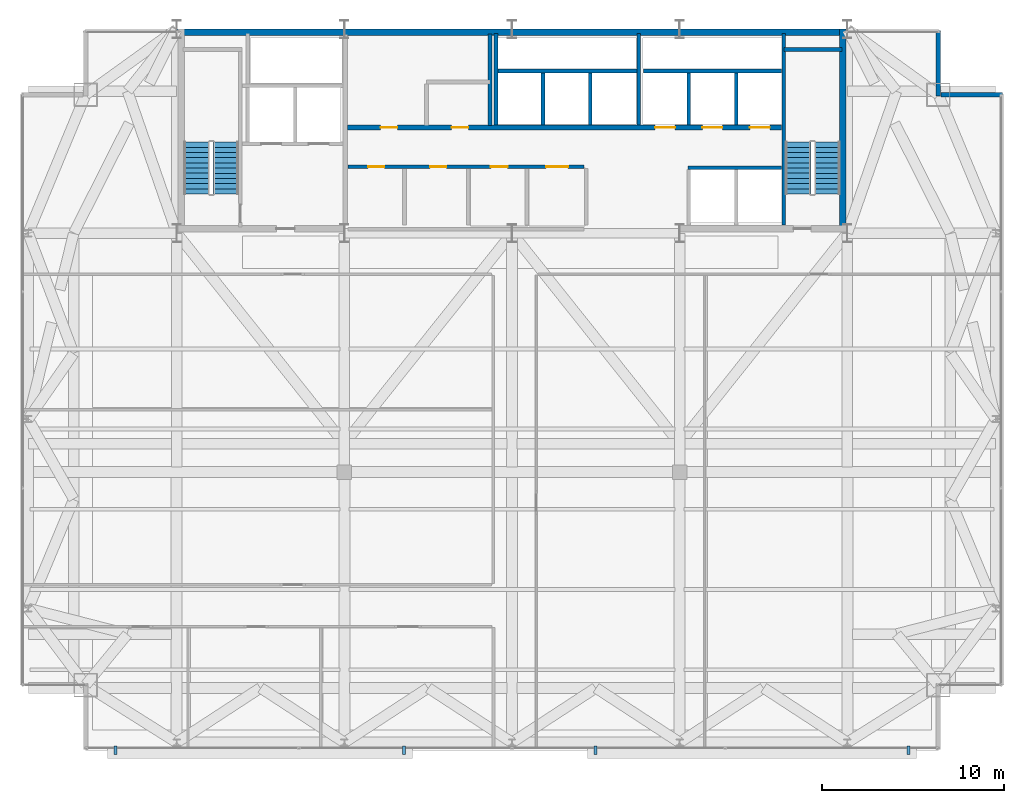
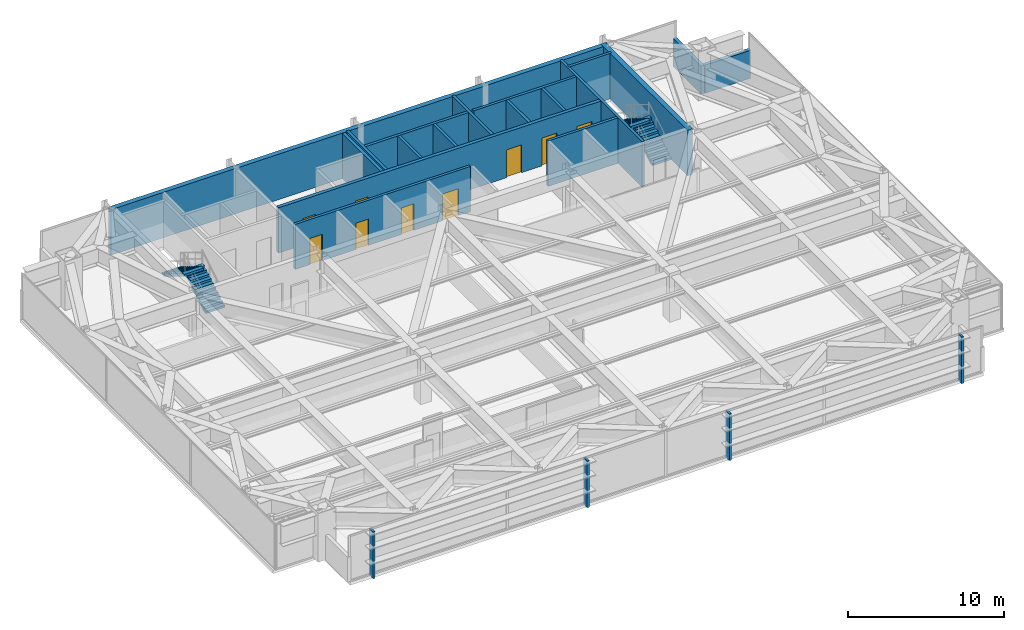
# One storey, part 24 of 26: 18 walls, 9 doors, 4 discrete accessories, 4 stair flights, 9 openings, 2 elements without a shape of their own.
"""IFC4 building model written with IfcOpenShell, lengths in metres."""

from ifc_helpers import new_model, si_unit, direction, frame, frame_2d, origin, origin_2d, place, context, subcontext, project, spatial, polyline, rectangle, outline, extrude, source, transform, mapped, material, layer, layer_set, type_object, type_shapes, element, fill, aggregate, save


model = new_model("IFC4")

# Units and contexts
model_context = context("Model", 3, precision=1e-05, world=origin(), true_north=direction((0.0, 1.0)))
body_context = subcontext(model_context, "Body", "Model", "MODEL_VIEW")
ifc_project = project(units=[si_unit("LENGTHUNIT", "METRE"), si_unit("AREAUNIT", "SQUARE_METRE"), si_unit("VOLUMEUNIT", "CUBIC_METRE"), si_unit("PLANEANGLEUNIT", "RADIAN"), si_unit("MASSUNIT", "GRAM", prefix="KILO")], contexts=[model_context])

# Site, building, storey
site_placement = place(None, origin())
site = spatial("IfcSite", under=ifc_project, at=site_placement, CompositionType="ELEMENT")
building_placement = place(site_placement, origin())
building = spatial("IfcBuilding", under=site, at=building_placement, Name="Varnel Quay Broadcast Tower", CompositionType="ELEMENT")
storey_placement = place(building_placement, frame((0.0, 0.0, 196.0)))
storey = spatial("IfcBuildingStorey", under=building, at=storey_placement, Name="L48", CompositionType="ELEMENT", Elevation=196.0)

# Walls
ifc_material_1 = material(Name="Concrete CSA A23.3 C50/60", Category="concrete")
ifc_layer_1 = layer(ifc_material_1, 0.199951171875, Name="Concrete CSA A23.3 C50/60")
ifc_layer_set_1 = layer_set([ifc_layer_1], Name="Concrete CSA A23.3 C50/60")
wall_type_1 = type_object("IfcWallType", Name="Wall_CoreShaftShear200", PredefinedType="SHEAR", material=ifc_layer_set_1)
wall_1_placement = place(storey_placement, frame((48.919921875, 36.050048828125, 0.0), z_axis=(0.0, 0.0, 1.0), x_axis=(0.0, 1.0, 0.0)))
element("IfcWall", 1, at=wall_1_placement, inside=storey, type_object=wall_type_1, Name="L48 Stair 2 West Structural Wall", PredefinedType="SHEAR", context=body_context, shape_type="SweptSolid", body=[
    extrude(rectangle(XDim=10.5, YDim=0.199951171875, at=frame_2d((5.25, 0.0))), origin(), (0.0, 0.0, 1.0), 3.550048828125),
])
wall_2_placement = place(storey_placement, frame((48.919921875, 45.679931640625, 0.0), z_axis=(0.0, 0.0, 1.0), x_axis=(1.0, 0.0, 0.0)))
element("IfcWall", 2, at=wall_2_placement, inside=storey, type_object=wall_type_1, Name="L48 Stair 2 North Structural Wall", PredefinedType="SHEAR", context=body_context, shape_type="SweptSolid", body=[
    extrude(rectangle(XDim=3.18017578125, YDim=0.199951171875, at=frame_2d((1.590087890625, 0.0))), origin(), (0.0, 0.0, 1.0), 3.550048828125),
])
wall_3_placement = place(storey_placement, frame((33.219970703125, 44.5, 0.0), z_axis=(0.0, 0.0, 1.0), x_axis=(1.0, 0.0, 0.0)))
element("IfcWall", 3, at=wall_3_placement, inside=storey, type_object=wall_type_1, Name="L48 Mid-Rise Lift Shaft Rear Wall", PredefinedType="SHEAR", context=body_context, shape_type="SweptSolid", body=[
    extrude(rectangle(XDim=7.630126953125, YDim=0.199951171875, at=frame_2d((3.81494140625, 0.0))), origin(), (0.0, 0.0, 1.0), 3.550048828125),
])
wall_4_placement = place(storey_placement, frame((33.1201171875, 41.530029296875, 0.0), z_axis=(0.0, 0.0, 1.0), x_axis=(0.0, 1.0, 0.0)))
element("IfcWall", 4, at=wall_4_placement, inside=storey, type_object=wall_type_1, Name="L48 Mid-Rise Lift Shaft Divider 1", PredefinedType="SHEAR", context=body_context, shape_type="SweptSolid", body=[
    extrude(rectangle(XDim=5.02001953125, YDim=0.199951171875, at=frame_2d((2.510009765625, 0.0))), origin(), (0.0, 0.0, 1.0), 3.550048828125),
])
for number, where, z_axis, x_axis, name in (
    (5, (35.699951171875, 41.530029296875, 0.0), (0.0, 0.0, 1.0), (0.0, 1.0, 0.0), "L48 Mid-Rise Lift Shaft Divider 2"),
    (6, (38.300048828125, 41.530029296875, 0.0), (0.0, 0.0, 1.0), (0.0, 1.0, 0.0), "L48 Mid-Rise Lift Shaft Divider 3"),
):
    element("IfcWall", number, at=place(storey_placement, frame(where, z_axis=z_axis, x_axis=x_axis)), inside=storey, type_object=wall_type_1, Name=name, PredefinedType="SHEAR", context=body_context, shape_type="SweptSolid", body=[
        extrude(rectangle(XDim=2.869873046875, YDim=0.199951171875, at=frame_2d((1.43505859375, 0.0))), origin(), (0.0, 0.0, 1.0), 3.550048828125),
    ])
wall_5_placement = place(storey_placement, frame((40.949951171875, 41.530029296875, 0.0), z_axis=(0.0, 0.0, 1.0), x_axis=(0.0, 1.0, 0.0)))
element("IfcWall", 7, at=wall_5_placement, inside=storey, type_object=wall_type_1, Name="L48 Mid-Rise Lift Shaft Divider 4", PredefinedType="SHEAR", context=body_context, shape_type="SweptSolid", body=[
    extrude(rectangle(XDim=5.02001953125, YDim=0.199951171875, at=frame_2d((2.510009765625, 0.0))), origin(), (0.0, 0.0, 1.0), 3.550048828125),
])
wall_6_placement = place(storey_placement, frame((41.219970703125, 44.5, 0.0), z_axis=(0.0, 0.0, 1.0), x_axis=(1.0, 0.0, 0.0)))
element("IfcWall", 8, at=wall_6_placement, inside=storey, type_object=wall_type_1, Name="L48 High-Rise Lift Shaft Rear Wall", PredefinedType="SHEAR", context=body_context, shape_type="SweptSolid", body=[
    extrude(rectangle(XDim=7.580078125, YDim=0.199951171875, at=frame_2d((3.7900390625, 0.0))), origin(), (0.0, 0.0, 1.0), 3.550048828125),
])
for number, where, z_axis, x_axis, name in (
    (9, (43.699951171875, 41.530029296875, 0.0), (0.0, 0.0, 1.0), (0.0, 1.0, 0.0), "L48 High-Rise Lift Shaft Divider 2"),
    (10, (46.300048828125, 41.530029296875, 0.0), (0.0, 0.0, 1.0), (0.0, 1.0, 0.0), "L48 High-Rise Lift Shaft Divider 3"),
):
    element("IfcWall", number, at=place(storey_placement, frame(where, z_axis=z_axis, x_axis=x_axis)), inside=storey, type_object=wall_type_1, Name=name, PredefinedType="SHEAR", context=body_context, shape_type="SweptSolid", body=[
        extrude(rectangle(XDim=2.869873046875, YDim=0.199951171875, at=frame_2d((1.43505859375, 0.0))), origin(), (0.0, 0.0, 1.0), 3.550048828125),
    ])
wall_7_placement = place(storey_placement, frame((43.64990234375, 39.199951171875, 0.0), z_axis=(0.0, 0.0, 1.0), x_axis=(1.0, 0.0, 0.0)))
element("IfcWall", 11, at=wall_7_placement, inside=storey, type_object=wall_type_1, Name="L48 Express Lift Shaft North Front Wall", PredefinedType="SHEAR", context=body_context, shape_type="SweptSolid", body=[
    extrude(rectangle(XDim=5.150146484375, YDim=0.199951171875, at=frame_2d((2.5751953125, 0.0))), origin(), (0.0, 0.0, 1.0), 3.550048828125),
])

# Wall, openings, doors
ifc_layer_2 = layer(ifc_material_1, 0.25, Name="Concrete CSA A23.3 C50/60")
ifc_layer_set_2 = layer_set([ifc_layer_2], Name="Concrete CSA A23.3 C50/60")
wall_type_2 = type_object("IfcWallType", Name="Wall_CoreShaftShear250", PredefinedType="SHEAR", material=ifc_layer_set_2)
wall_8_placement = place(storey_placement, frame((24.97998046875, 41.39990234375, 0.0), z_axis=(0.0, 0.0, 1.0), x_axis=(1.0, 0.0, 0.0)))
wall_8 = element("IfcWall", 12, at=wall_8_placement, inside=storey, type_object=wall_type_2, Name="L48 North Lift Bank & Reclaimed Suite Wall", PredefinedType="SHEAR", context=body_context, shape_type="SweptSolid", body=[
    extrude(rectangle(XDim=23.820068359375, YDim=0.25, at=frame_2d((11.91015625, 0.0))), origin(), (0.0, 0.0, 1.0), 3.550048828125),
])
opening_1_placement = place(wall_8_placement, frame((16.8701171875, 0.0, 0.0)))
opening_1 = element("IfcOpeningElement", 13, at=opening_1_placement, cuts=wall_8, Name="Opening LD-L48-PH-01", PredefinedType="OPENING", context=body_context, shape_type="SweptSolid", body=[
    extrude(rectangle(XDim=1.10009765625, YDim=2.179931640625, at=frame_2d((0.550048828125, 1.08984375))), frame((0.0, 0.135009765625, 0.0), z_axis=(0.0, -1.0, 0.0), x_axis=(1.0, 0.0, 0.0)), (0.0, 0.0, 1.0), 0.27001953125),
])
opening_2_placement = place(wall_8_placement, frame((19.469970703125, 0.0, 0.0)))
opening_2 = element("IfcOpeningElement", 14, at=opening_2_placement, cuts=wall_8, Name="Opening LD-L48-PH-02", PredefinedType="OPENING", context=body_context, shape_type="SweptSolid", body=[
    extrude(rectangle(XDim=1.10009765625, YDim=2.179931640625, at=frame_2d((0.550048828125, 1.08984375))), frame((0.0, 0.135009765625, 0.0), z_axis=(0.0, -1.0, 0.0), x_axis=(1.0, 0.0, 0.0)), (0.0, 0.0, 1.0), 0.27001953125),
])
opening_3_placement = place(wall_8_placement, frame((22.070068359375, 0.0, 0.0)))
opening_3 = element("IfcOpeningElement", 15, at=opening_3_placement, cuts=wall_8, Name="Opening LD-L48-PH-03", PredefinedType="OPENING", context=body_context, shape_type="SweptSolid", body=[
    extrude(rectangle(XDim=1.10009765625, YDim=2.179931640625, at=frame_2d((0.550048828125, 1.08984375))), frame((0.0, 0.135009765625, 0.0), z_axis=(0.0, -1.0, 0.0), x_axis=(1.0, 0.0, 0.0)), (0.0, 0.0, 1.0), 0.27001953125),
])
opening_4_placement = place(wall_8_placement, frame((1.81005859375, 0.0, 0.0)))
opening_4 = element("IfcOpeningElement", 16, at=opening_4_placement, cuts=wall_8, Name="Opening D-L48-RECA1", PredefinedType="OPENING", context=body_context, shape_type="SweptSolid", body=[
    extrude(rectangle(XDim=0.919921875, YDim=2.080078125, at=frame_2d((0.4599609375, 1.0400390625))), frame((0.0, 0.135009765625, 0.0), z_axis=(0.0, -1.0, 0.0), x_axis=(1.0, 0.0, 0.0)), (0.0, 0.0, 1.0), 0.27001953125),
])
opening_5_placement = place(wall_8_placement, frame((5.7099609375, 0.0, 0.0)))
opening_5 = element("IfcOpeningElement", 17, at=opening_5_placement, cuts=wall_8, Name="Opening D-L48-RECA2", PredefinedType="OPENING", context=body_context, shape_type="SweptSolid", body=[
    extrude(rectangle(XDim=0.919921875, YDim=2.080078125, at=frame_2d((0.4599609375, 1.0400390625))), frame((0.0, 0.135009765625, 0.0), z_axis=(0.0, -1.0, 0.0), x_axis=(1.0, 0.0, 0.0)), (0.0, 0.0, 1.0), 0.27001953125),
])
ifc_material_2 = material(Name="Brushed Bronze-Stainless Lift Car & Sliding Doors", Category="steel")
door_type_1 = type_object("IfcDoorType", Name="Door_LiftLanding1100", OperationType="SLIDING_TO_LEFT", PredefinedType="DOOR", material=ifc_material_2)
shared_shape_1 = source(origin(), body_context, "Body", "SweptSolid", [
    extrude(rectangle(XDim=1.10009765625, YDim=2.179931640625, at=frame_2d((0.550048828125, 1.08984375))), frame((0.0, 0.02490234375, 0.0), z_axis=(0.0, -1.0, 0.0), x_axis=(1.0, 0.0, 0.0)), (0.0, 0.0, 1.0), 0.050048828125),
])
type_shapes(door_type_1, [shared_shape_1])
door_1_placement = place(opening_1_placement, frame((1.10009765625, 0.0, 0.0), z_axis=(0.0, 0.0, 1.0), x_axis=(-1.0, 0.0, 0.0)))
door_1 = element("IfcDoor", 18, at=door_1_placement, inside=storey, type_object=door_type_1, Name="L48 Lift PH-01 Landing Door", OperationType="SLIDING_TO_LEFT", OverallHeight=2.179931640625, OverallWidth=1.10009765625, PredefinedType="DOOR", context=body_context, shape_type="MappedRepresentation", body=[
    mapped(shared_shape_1, transform((0.0, 0.0, 0.0), x_axis=(1.0, 0.0, 0.0), y_axis=(0.0, 1.0, 0.0), z_axis=(0.0, 0.0, 1.0), scale=1.0)),
])
fill(opening_1, door_1)
door_2_placement = place(opening_2_placement, frame((1.10009765625, 0.0, 0.0), z_axis=(0.0, 0.0, 1.0), x_axis=(-1.0, 0.0, 0.0)))
door_2 = element("IfcDoor", 19, at=door_2_placement, inside=storey, type_object=door_type_1, Name="L48 Lift PH-02 Landing Door", OperationType="SLIDING_TO_LEFT", OverallHeight=2.179931640625, OverallWidth=1.10009765625, PredefinedType="DOOR", context=body_context, shape_type="MappedRepresentation", body=[
    mapped(shared_shape_1, transform((0.0, 0.0, 0.0), x_axis=(1.0, 0.0, 0.0), y_axis=(0.0, 1.0, 0.0), z_axis=(0.0, 0.0, 1.0), scale=1.0)),
])
fill(opening_2, door_2)
door_3_placement = place(opening_3_placement, frame((1.10009765625, 0.0, 0.0), z_axis=(0.0, 0.0, 1.0), x_axis=(-1.0, 0.0, 0.0)))
door_3 = element("IfcDoor", 20, at=door_3_placement, inside=storey, type_object=door_type_1, Name="L48 Lift PH-03 Landing Door", OperationType="SLIDING_TO_LEFT", OverallHeight=2.179931640625, OverallWidth=1.10009765625, PredefinedType="DOOR", context=body_context, shape_type="MappedRepresentation", body=[
    mapped(shared_shape_1, transform((0.0, 0.0, 0.0), x_axis=(1.0, 0.0, 0.0), y_axis=(0.0, 1.0, 0.0), z_axis=(0.0, 0.0, 1.0), scale=1.0)),
])
fill(opening_3, door_3)
ifc_material_3 = material(Name="Solid-Core Fire-Rated Acoustic Oak Veneer Door", Category="wood")
door_type_2 = type_object("IfcDoorType", Name="Door_Office920", OperationType="NOTDEFINED", PredefinedType="DOOR", material=ifc_material_3)
shared_shape_2 = source(origin(), body_context, "Body", "SweptSolid", [
    extrude(rectangle(XDim=0.919921875, YDim=2.080078125, at=frame_2d((0.4599609375, 1.0400390625))), frame((0.0, 0.02490234375, 0.0), z_axis=(0.0, -1.0, 0.0), x_axis=(1.0, 0.0, 0.0)), (0.0, 0.0, 1.0), 0.050048828125),
])
type_shapes(door_type_2, [shared_shape_2])
door_4_placement = place(opening_4_placement, origin())
door_4 = element("IfcDoor", 21, at=door_4_placement, inside=storey, type_object=door_type_2, Name="L48 Signal Routing Suite Door", OperationType="SINGLE_SWING_RIGHT", OverallHeight=2.080078125, OverallWidth=0.919921875, PredefinedType="DOOR", context=body_context, shape_type="MappedRepresentation", body=[
    mapped(shared_shape_2, transform((0.0, 0.0, 0.0), x_axis=(1.0, 0.0, 0.0), y_axis=(0.0, 1.0, 0.0), z_axis=(0.0, 0.0, 1.0), scale=1.0)),
])
fill(opening_4, door_4)
door_5_placement = place(opening_5_placement, origin())
door_5 = element("IfcDoor", 22, at=door_5_placement, inside=storey, type_object=door_type_2, Name="L48 Archive Media Store Door", OperationType="SINGLE_SWING_LEFT", OverallHeight=2.080078125, OverallWidth=0.919921875, PredefinedType="DOOR", context=body_context, shape_type="MappedRepresentation", body=[
    mapped(shared_shape_2, transform((0.0, 0.0, 0.0), x_axis=(1.0, 0.0, 0.0), y_axis=(0.0, 1.0, 0.0), z_axis=(0.0, 0.0, 1.0), scale=1.0)),
])
fill(opening_5, door_5)

# Walls
ifc_layer_3 = layer(ifc_material_1, 0.35009765625, Name="Concrete CSA A23.3 C50/60")
ifc_layer_set_3 = layer_set([ifc_layer_3], Name="Concrete CSA A23.3 C50/60")
wall_type_3 = type_object("IfcWallType", Name="Wall_CoreShearExt350", PredefinedType="SHEAR", material=ifc_layer_set_3)
wall_9_placement = place(storey_placement, frame((15.60009765625, 46.625, 0.0), z_axis=(0.0, 0.0, 1.0), x_axis=(1.0, 0.0, 0.0)))
element("IfcWall", 23, at=wall_9_placement, inside=storey, type_object=wall_type_3, Name="L48 North Core Shear Wall", PredefinedType="SHEAR", context=body_context, shape_type="SweptSolid", body=[
    extrude(rectangle(XDim=36.7998046875, YDim=0.35009765625, at=frame_2d((18.39990234375, 0.0))), origin(), (0.0, 0.0, 1.0), 3.550048828125),
])
ifc_layer_4 = layer(ifc_material_1, 0.35009765625, Name="Concrete CSA A23.3 C50/60")
ifc_layer_set_4 = layer_set([ifc_layer_4], Name="Concrete CSA A23.3 C50/60")
wall_type_4 = type_object("IfcWallType", Name="Wall_CoreShearInt350", PredefinedType="SHEAR", material=ifc_layer_set_4)
wall_10_placement = place(storey_placement, frame((52.155029296875, 35.669921875, 0.0), z_axis=(0.0, 0.0, 1.0), x_axis=(0.0, 1.0, 0.0)))
element("IfcWall", 24, at=wall_10_placement, inside=storey, type_object=wall_type_4, Name="L48 East Core Shear Wall", PredefinedType="SHEAR", context=body_context, shape_type="SweptSolid", body=[
    extrude(rectangle(XDim=11.130126953125, YDim=0.35009765625, at=frame_2d((5.56494140625, 0.0))), origin(), (0.0, 0.0, 1.0), 3.550048828125),
])
ifc_material_4 = material(Name="Precast Architectural Concrete C40/50", Category="concrete")
ifc_layer_5 = layer(ifc_material_4, 0.25, Name="Precast Architectural Concrete C40/50")
ifc_layer_set_5 = layer_set([ifc_layer_5], Name="Precast Architectural Concrete C40/50")
wall_type_5 = type_object("IfcWallType", Name="Wall_ExtTerrace250", PredefinedType="SOLIDWALL", material=ifc_layer_set_5)
wall_11_placement = place(storey_placement, frame((57.530029296875, 43.199951171875, 0.0), z_axis=(0.0, 0.0, 1.0), x_axis=(1.0, 0.0, 0.0)))
element("IfcWall", 25, at=wall_11_placement, inside=storey, type_object=wall_type_5, Name="L48 Mega-Column Notch Cladding Wall NNE1", PredefinedType="SOLIDWALL", context=body_context, shape_type="SweptSolid", body=[
    extrude(rectangle(XDim=3.389892578125, YDim=0.25, at=frame_2d((1.69482421875, 0.0))), origin(), (0.0, 0.0, 1.0), 2.195068359375),
])
wall_12_placement = place(storey_placement, frame((57.39990234375, 43.1201171875, 0.0), z_axis=(0.0, 0.0, 1.0), x_axis=(0.0, 1.0, 0.0)))
element("IfcWall", 26, at=wall_12_placement, inside=storey, type_object=wall_type_5, Name="L48 Mega-Column Notch Cladding Wall NNE2", PredefinedType="SOLIDWALL", context=body_context, shape_type="SweptSolid", body=[
    extrude(rectangle(XDim=3.599853515625, YDim=0.25, at=frame_2d((1.7998046875, 0.0))), origin(), (0.0, 0.0, 1.0), 2.195068359375),
])

# Wall, openings, doors
ifc_material_5 = material(Name="Concrete Blockwork Fire Enclosure C40/50", Category="masonry")
ifc_layer_6 = layer(ifc_material_5, 0.199951171875, Name="Concrete Blockwork Fire Enclosure C40/50")
ifc_layer_set_6 = layer_set([ifc_layer_6], Name="Concrete Blockwork Fire Enclosure C40/50")
wall_type_6 = type_object("IfcWallType", Name="Wall_FireShaft200", PredefinedType="SOLIDWALL", material=ifc_layer_set_6)
wall_13_placement = place(storey_placement, frame((25.0, 39.25, 0.0), z_axis=(0.0, 0.0, 1.0), x_axis=(1.0, 0.0, 0.0)))
wall_13 = element("IfcWall", 27, at=wall_13_placement, inside=storey, type_object=wall_type_6, Name="L48 Accessible Universal Washroom Partition 3", PredefinedType="SOLIDWALL", context=body_context, shape_type="SweptSolid", body=[
    extrude(rectangle(XDim=12.949951171875, YDim=0.199951171875, at=frame_2d((6.47509765625, 0.0))), origin(), (0.0, 0.0, 1.0), 3.530029296875),
])
opening_6_placement = place(wall_13_placement, frame((1.10009765625, 0.0, 0.0)))
opening_6 = element("IfcOpeningElement", 28, at=opening_6_placement, cuts=wall_13, Name="Opening D-L48-01", PredefinedType="OPENING", context=body_context, shape_type="SweptSolid", body=[
    extrude(rectangle(XDim=0.89990234375, YDim=2.06005859375, at=frame_2d((0.449951171875, 1.030029296875))), frame((0.0, 0.10986328125, 0.0), z_axis=(0.0, -1.0, 0.0), x_axis=(1.0, 0.0, 0.0)), (0.0, 0.0, 1.0), 0.219970703125),
])
opening_7_placement = place(wall_13_placement, frame((4.5, 0.0, 0.0)))
opening_7 = element("IfcOpeningElement", 29, at=opening_7_placement, cuts=wall_13, Name="Opening D-L48-02", PredefinedType="OPENING", context=body_context, shape_type="SweptSolid", body=[
    extrude(rectangle(XDim=0.89990234375, YDim=2.06005859375, at=frame_2d((0.449951171875, 1.030029296875))), frame((0.0, 0.10986328125, 0.0), z_axis=(0.0, -1.0, 0.0), x_axis=(1.0, 0.0, 0.0)), (0.0, 0.0, 1.0), 0.219970703125),
])
opening_8_placement = place(wall_13_placement, frame((7.840087890625, 0.0, 0.0)))
opening_8 = element("IfcOpeningElement", 30, at=opening_8_placement, cuts=wall_13, Name="Opening D-L48-03", PredefinedType="OPENING", context=body_context, shape_type="SweptSolid", body=[
    extrude(rectangle(XDim=0.919921875, YDim=2.080078125, at=frame_2d((0.4599609375, 1.0400390625))), frame((0.0, 0.10986328125, 0.0), z_axis=(0.0, -1.0, 0.0), x_axis=(1.0, 0.0, 0.0)), (0.0, 0.0, 1.0), 0.219970703125),
])
opening_9_placement = place(wall_13_placement, frame((10.875, 0.0, 0.0)))
opening_9 = element("IfcOpeningElement", 31, at=opening_9_placement, cuts=wall_13, Name="Opening D-L48-04", PredefinedType="OPENING", context=body_context, shape_type="SweptSolid", body=[
    extrude(rectangle(XDim=1.199951171875, YDim=2.10009765625, at=frame_2d((0.60009765625, 1.050048828125))), frame((0.0, 0.10986328125, 0.0), z_axis=(0.0, -1.0, 0.0), x_axis=(1.0, 0.0, 0.0)), (0.0, 0.0, 1.0), 0.219970703125),
])
door_type_3 = type_object("IfcDoorType", Name="Door_Washroom900", OperationType="NOTDEFINED", PredefinedType="DOOR", material=ifc_material_3)
shared_shape_3 = source(origin(), body_context, "Body", "SweptSolid", [
    extrude(rectangle(XDim=0.89990234375, YDim=2.06005859375, at=frame_2d((0.449951171875, 1.030029296875))), frame((0.0, 0.02490234375, 0.0), z_axis=(0.0, -1.0, 0.0), x_axis=(1.0, 0.0, 0.0)), (0.0, 0.0, 1.0), 0.050048828125),
])
type_shapes(door_type_3, [shared_shape_3])
door_6_placement = place(opening_6_placement, frame((0.89990234375, 0.0, 0.0), z_axis=(0.0, 0.0, 1.0), x_axis=(-1.0, 0.0, 0.0)))
door_6 = element("IfcDoor", 32, at=door_6_placement, inside=storey, type_object=door_type_3, Name="L48 Accessible Universal Washroom Door D-L48-01", OperationType="SINGLE_SWING_RIGHT", OverallHeight=2.06005859375, OverallWidth=0.89990234375, PredefinedType="DOOR", context=body_context, shape_type="MappedRepresentation", body=[
    mapped(shared_shape_3, transform((0.0, 0.0, 0.0), x_axis=(1.0, 0.0, 0.0), y_axis=(0.0, 1.0, 0.0), z_axis=(0.0, 0.0, 1.0), scale=1.0)),
])
fill(opening_6, door_6)
door_7_placement = place(opening_7_placement, frame((0.89990234375, 0.0, 0.0), z_axis=(0.0, 0.0, 1.0), x_axis=(-1.0, 0.0, 0.0)))
door_7 = element("IfcDoor", 33, at=door_7_placement, inside=storey, type_object=door_type_3, Name="L48 Staff Washroom Block Door D-L48-02", OperationType="SINGLE_SWING_LEFT", OverallHeight=2.06005859375, OverallWidth=0.89990234375, PredefinedType="DOOR", context=body_context, shape_type="MappedRepresentation", body=[
    mapped(shared_shape_3, transform((0.0, 0.0, 0.0), x_axis=(1.0, 0.0, 0.0), y_axis=(0.0, 1.0, 0.0), z_axis=(0.0, 0.0, 1.0), scale=1.0)),
])
fill(opening_7, door_7)
ifc_material_6 = material(Name="Insulated Fire-Rated Hollow Steel Door", Category="steel")
door_type_4 = type_object("IfcDoorType", Name="Door_Plant1200", OperationType="NOTDEFINED", PredefinedType="DOOR", material=ifc_material_6)
shared_shape_4 = source(origin(), body_context, "Body", "SweptSolid", [
    extrude(rectangle(XDim=1.199951171875, YDim=2.10009765625, at=frame_2d((0.60009765625, 1.050048828125))), frame((0.0, 0.02490234375, 0.0), z_axis=(0.0, -1.0, 0.0), x_axis=(1.0, 0.0, 0.0)), (0.0, 0.0, 1.0), 0.050048828125),
])
type_shapes(door_type_4, [shared_shape_4])
door_8_placement = place(opening_9_placement, origin())
door_8 = element("IfcDoor", 34, at=door_8_placement, inside=storey, type_object=door_type_4, Name="L48 Zone Lighting Dimmer Room Door D-L48-04", OperationType="SINGLE_SWING_LEFT", OverallHeight=2.10009765625, OverallWidth=1.199951171875, PredefinedType="DOOR", context=body_context, shape_type="MappedRepresentation", body=[
    mapped(shared_shape_4, transform((0.0, 0.0, 0.0), x_axis=(1.0, 0.0, 0.0), y_axis=(0.0, 1.0, 0.0), z_axis=(0.0, 0.0, 1.0), scale=1.0)),
])
fill(opening_9, door_8)
door_9_placement = place(opening_8_placement, frame((0.919921875, 0.0, 0.0), z_axis=(0.0, 0.0, 1.0), x_axis=(-1.0, 0.0, 0.0)))
door_9 = element("IfcDoor", 35, at=door_9_placement, inside=storey, type_object=door_type_2, Name="L48 Broadcast First-Aid & Quiet Room Door D-L48-03", OperationType="SINGLE_SWING_RIGHT", OverallHeight=2.080078125, OverallWidth=0.919921875, PredefinedType="DOOR", context=body_context, shape_type="MappedRepresentation", body=[
    mapped(shared_shape_2, transform((0.0, 0.0, 0.0), x_axis=(1.0, 0.0, 0.0), y_axis=(0.0, 1.0, 0.0), z_axis=(0.0, 0.0, 1.0), scale=1.0)),
])
fill(opening_8, door_9)

# Wall
ifc_material_7 = material(Name="Steel-Stud Fire-Rated Acoustic Gypsum Partition Assembly", Category="steel")
ifc_layer_7 = layer(ifc_material_7, 0.22509765625, Name="Steel-Stud Fire-Rated Acoustic Gypsum Partition Assembly")
ifc_layer_set_7 = layer_set([ifc_layer_7], Name="Steel-Stud Fire-Rated Acoustic Gypsum Partition Assembly")
wall_type_7 = type_object("IfcWallType", Name="Wall_Partition225", PredefinedType="PARTITIONING", material=ifc_layer_set_7)
wall_14_placement = place(storey_placement, frame((32.800048828125, 41.5, 0.0), z_axis=(0.0, 0.0, 1.0), x_axis=(0.0, 1.0, 0.0)))
element("IfcWall", 36, at=wall_14_placement, inside=storey, type_object=wall_type_7, Name="L48 Signal Routing Suite Partition 34", PredefinedType="PARTITIONING", context=body_context, shape_type="SweptSolid", body=[
    extrude(rectangle(XDim=5.02001953125, YDim=0.22509765625, at=frame_2d((2.510009765625, 0.0))), origin(), (0.0, 0.0, 1.0), 3.530029296875),
])

# Stair, stair flights
ifc_material_8 = material(Name="Precast Structural Concrete C40/50", Category="concrete")
stair_type_1 = type_object("IfcStairType", Name="Stair_ST-01", PredefinedType="HALF_TURN_STAIR", material=ifc_material_8)
stair_1_placement = place(storey_placement, origin())
stair_1 = element("IfcStair", 37, at=stair_1_placement, inside=storey, type_object=stair_type_1, Name="L48 West Core Exit Stair 1", PredefinedType="HALF_TURN_STAIR")
stair_flight_type_1 = type_object("IfcStairFlightType", Name="Flight_ST-01", PredefinedType="STRAIGHT", material=ifc_material_8)
stair_flight_1_placement = place(storey_placement, frame((18.300048828125, 37.75, 0.0), z_axis=(0.0, 0.0, 1.0), x_axis=(0.0, 1.0, 0.0)))
stair_flight_1 = element("IfcStairFlight", 38, at=stair_flight_1_placement, type_object=stair_flight_type_1, Name="ST-01 flight 1", NumberOfRisers=11, NumberOfTreads=10, PredefinedType="STRAIGHT", RiserHeight=0.172727273, TreadLength=0.285, context=body_context, shape_type="SweptSolid", body=[
    extrude(outline(polyline([(0.0, 0.0), (0.0, 0.172607421875), (0.284912109375, 0.172607421875), (0.284912109375, 0.345458984375), (0.570068359375, 0.345458984375), (0.570068359375, 0.51806640625), (0.85498046875, 0.51806640625), (0.85498046875, 0.69091796875), (1.139892578125, 0.69091796875), (1.139892578125, 0.863525390625), (1.425048828125, 0.863525390625), (1.425048828125, 1.036376953125), (1.7099609375, 1.036376953125), (1.7099609375, 1.208984375), (1.9951171875, 1.208984375), (1.9951171875, 1.3818359375), (2.280029296875, 1.3818359375), (2.280029296875, 1.554443359375), (2.56494140625, 1.554443359375), (2.56494140625, 1.727294921875), (2.85009765625, 1.727294921875), (2.85009765625, 1.89990234375), (2.85009765625, 1.552001953125), (0.289306640625, 0.0), (0.0, 0.0)])), frame((0.0, 0.699951171875, 0.0), z_axis=(0.0, -1.0, 0.0), x_axis=(1.0, 0.0, 0.0)), (0.0, 0.0, 1.0), 1.39990234375),
])
stair_flight_2_placement = place(storey_placement, frame((16.699951171875, 40.60009765625, 1.89990234375), z_axis=(0.0, 0.0, 1.0), x_axis=(0.0, -1.0, 0.0)))
stair_flight_2 = element("IfcStairFlight", 39, at=stair_flight_2_placement, type_object=stair_flight_type_1, Name="ST-01 flight 2", NumberOfRisers=11, NumberOfTreads=10, PredefinedType="STRAIGHT", RiserHeight=0.172727273, TreadLength=0.285, context=body_context, shape_type="SweptSolid", body=[
    extrude(outline(polyline([(0.0, 0.0), (0.0, 0.172607421875), (0.284912109375, 0.172607421875), (0.284912109375, 0.345458984375), (0.570068359375, 0.345458984375), (0.570068359375, 0.51806640625), (0.85498046875, 0.51806640625), (0.85498046875, 0.69091796875), (1.139892578125, 0.69091796875), (1.139892578125, 0.863525390625), (1.425048828125, 0.863525390625), (1.425048828125, 1.036376953125), (1.7099609375, 1.036376953125), (1.7099609375, 1.208984375), (1.9951171875, 1.208984375), (1.9951171875, 1.3818359375), (2.280029296875, 1.3818359375), (2.280029296875, 1.554443359375), (2.56494140625, 1.554443359375), (2.56494140625, 1.727294921875), (2.85009765625, 1.727294921875), (2.85009765625, 1.89990234375), (2.85009765625, 1.552001953125), (0.289306640625, 0.0), (0.0, 0.0)])), frame((0.0, 0.699951171875, 0.0), z_axis=(0.0, -1.0, 0.0), x_axis=(1.0, 0.0, 0.0)), (0.0, 0.0, 1.0), 1.39990234375),
])
aggregate(stair_1, [stair_flight_1, stair_flight_2])

stair_type_2 = type_object("IfcStairType", Name="Stair_ST-02", PredefinedType="HALF_TURN_STAIR", material=ifc_material_8)
stair_2_placement = place(storey_placement, origin())
stair_2 = element("IfcStair", 40, at=stair_2_placement, inside=storey, type_object=stair_type_2, Name="L48 East Core Exit Stair 2", PredefinedType="HALF_TURN_STAIR")
stair_flight_type_2 = type_object("IfcStairFlightType", Name="Flight_ST-02", PredefinedType="STRAIGHT", material=ifc_material_8)
stair_flight_3_placement = place(storey_placement, frame((51.300048828125, 37.75, 0.0), z_axis=(0.0, 0.0, 1.0), x_axis=(0.0, 1.0, 0.0)))
stair_flight_3 = element("IfcStairFlight", 41, at=stair_flight_3_placement, type_object=stair_flight_type_2, Name="ST-02 flight 1", NumberOfRisers=11, NumberOfTreads=10, PredefinedType="STRAIGHT", RiserHeight=0.172727273, TreadLength=0.285, context=body_context, shape_type="SweptSolid", body=[
    extrude(outline(polyline([(0.0, 0.0), (0.0, 0.172607421875), (0.284912109375, 0.172607421875), (0.284912109375, 0.345458984375), (0.570068359375, 0.345458984375), (0.570068359375, 0.51806640625), (0.85498046875, 0.51806640625), (0.85498046875, 0.69091796875), (1.139892578125, 0.69091796875), (1.139892578125, 0.863525390625), (1.425048828125, 0.863525390625), (1.425048828125, 1.036376953125), (1.7099609375, 1.036376953125), (1.7099609375, 1.208984375), (1.9951171875, 1.208984375), (1.9951171875, 1.3818359375), (2.280029296875, 1.3818359375), (2.280029296875, 1.554443359375), (2.56494140625, 1.554443359375), (2.56494140625, 1.727294921875), (2.85009765625, 1.727294921875), (2.85009765625, 1.89990234375), (2.85009765625, 1.552001953125), (0.289306640625, 0.0), (0.0, 0.0)])), frame((0.0, 0.699951171875, 0.0), z_axis=(0.0, -1.0, 0.0), x_axis=(1.0, 0.0, 0.0)), (0.0, 0.0, 1.0), 1.39990234375),
])
stair_flight_4_placement = place(storey_placement, frame((49.699951171875, 40.60009765625, 1.89990234375), z_axis=(0.0, 0.0, 1.0), x_axis=(0.0, -1.0, 0.0)))
stair_flight_4 = element("IfcStairFlight", 42, at=stair_flight_4_placement, type_object=stair_flight_type_2, Name="ST-02 flight 2", NumberOfRisers=11, NumberOfTreads=10, PredefinedType="STRAIGHT", RiserHeight=0.172727273, TreadLength=0.285, context=body_context, shape_type="SweptSolid", body=[
    extrude(outline(polyline([(0.0, 0.0), (0.0, 0.172607421875), (0.284912109375, 0.172607421875), (0.284912109375, 0.345458984375), (0.570068359375, 0.345458984375), (0.570068359375, 0.51806640625), (0.85498046875, 0.51806640625), (0.85498046875, 0.69091796875), (1.139892578125, 0.69091796875), (1.139892578125, 0.863525390625), (1.425048828125, 0.863525390625), (1.425048828125, 1.036376953125), (1.7099609375, 1.036376953125), (1.7099609375, 1.208984375), (1.9951171875, 1.208984375), (1.9951171875, 1.3818359375), (2.280029296875, 1.3818359375), (2.280029296875, 1.554443359375), (2.56494140625, 1.554443359375), (2.56494140625, 1.727294921875), (2.85009765625, 1.727294921875), (2.85009765625, 1.89990234375), (2.85009765625, 1.552001953125), (0.289306640625, 0.0), (0.0, 0.0)])), frame((0.0, 0.699951171875, 0.0), z_axis=(0.0, -1.0, 0.0), x_axis=(1.0, 0.0, 0.0)), (0.0, 0.0, 1.0), 1.39990234375),
])
aggregate(stair_2, [stair_flight_3, stair_flight_4])

# Discrete accessories
ifc_material_9 = material(Name="Anodised Bronze Aluminium 6063-T6", Category="aluminium")
ifc_layer_8 = layer(ifc_material_9, 0.47998046875, Name="Anodised Bronze Aluminium 6063-T6")
ifc_layer_set_8 = layer_set([ifc_layer_8], Name="Anodised Bronze Aluminium 6063-T6")
discrete_accessory_type = type_object("IfcDiscreteAccessoryType", Name="Acc_FacadeBracket", PredefinedType="BRACKET", material=ifc_layer_set_8)
shared_shape_5 = source(origin(), body_context, "Body", "SweptSolid", [
    extrude(rectangle(XDim=0.159912109375, YDim=0.47998046875, at=origin_2d()), origin(), (0.0, 0.0, 1.0), 3.64990234375),
])
type_shapes(discrete_accessory_type, [shared_shape_5])
for number, where, z_axis, x_axis, name in (
    (43, (12.25, 7.219970703125, -0.14990234375), (0.0, 0.0, 1.0), (1.0, 0.0, 0.0), "L48 Lobe 1 Louvre Support Bracket 1"),
    (44, (28.0810546875, 7.219970703125, -0.14990234375), (0.0, 0.0, 1.0), (1.0, 0.0, 0.0), "L48 Lobe 1 Louvre Support Bracket 2"),
    (45, (38.5810546875, 7.219970703125, -0.14990234375), (0.0, 0.0, 1.0), (1.0, 0.0, 0.0), "L48 Lobe 2 Louvre Support Bracket 1"),
    (46, (55.75, 7.219970703125, -0.14990234375), (0.0, 0.0, 1.0), (1.0, 0.0, 0.0), "L48 Lobe 2 Louvre Support Bracket 2"),
):
    element("IfcDiscreteAccessory", number, at=place(storey_placement, frame(where, z_axis=z_axis, x_axis=x_axis)), inside=storey, type_object=discrete_accessory_type, Name=name, PredefinedType="BRACKET", context=body_context, shape_type="MappedRepresentation", body=[
        mapped(shared_shape_5, transform((0.0, 0.0, 0.0), x_axis=(1.0, 0.0, 0.0), y_axis=(0.0, 1.0, 0.0), z_axis=(0.0, 0.0, 1.0), scale=1.0)),
    ])

save(model, "model.ifc")
